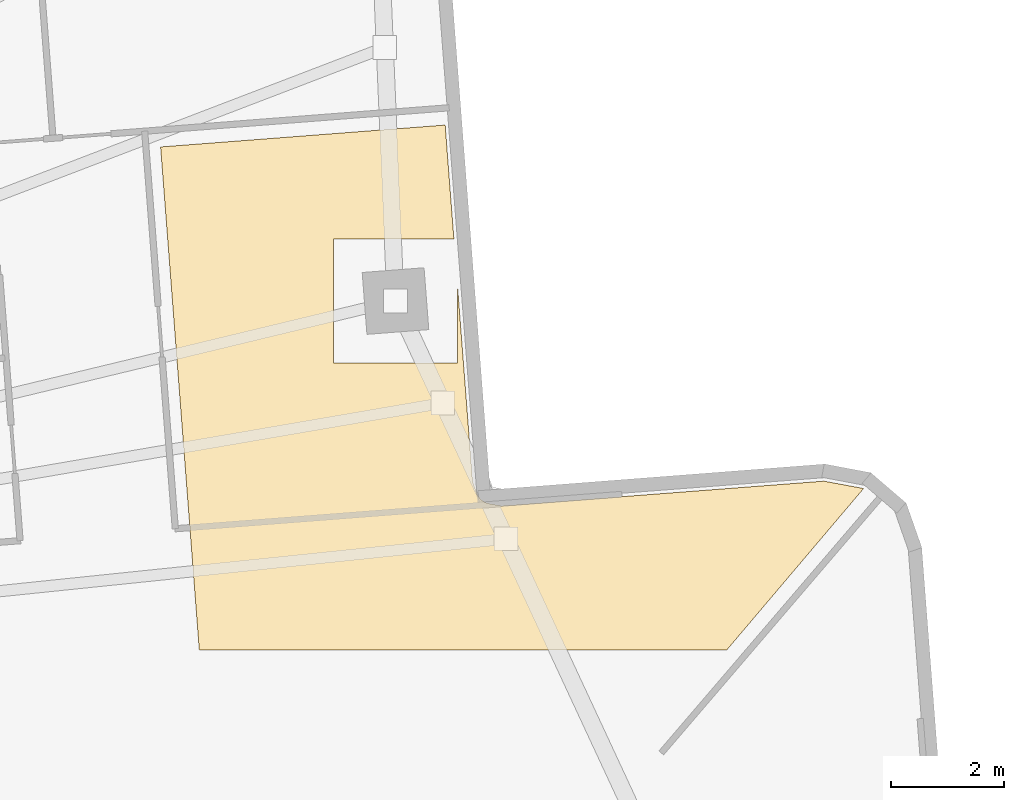
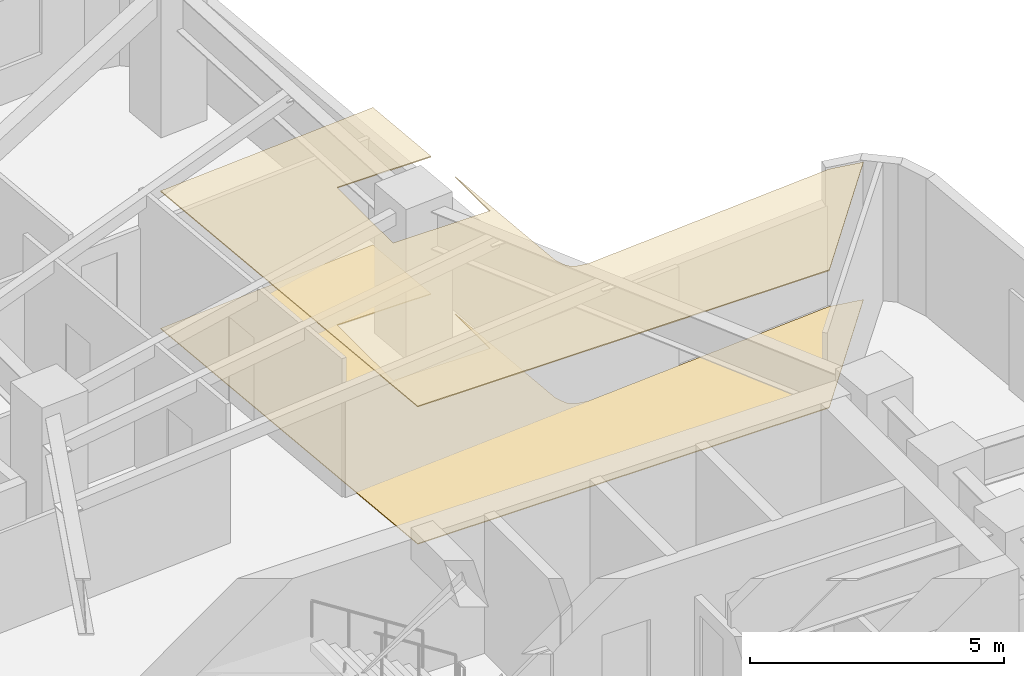
# One storey, part 10 of 10: 2 coverings.
"""IFC4 building model written with IfcOpenShell, lengths in metres."""

import ifcopenshell
import ifcopenshell.guid

model = None  # the IFC model being written
_history = None  # IfcOwnerHistory: only IFC2X3 demands one
_inside = {}  # id of a spatial element -> (the spatial element, [elements in it])
_under = {}  # id of a project, library or spatial element -> (it, [spatial elements below it])
_declared = {}  # id of a project -> (the project, [libraries it declares])
_typed = {}  # id of a type object -> (the type object, [elements of that type])
_made_of = {}  # id of a material, layer set ... -> (it, [elements and type objects made of it])


def new_model(schema):
    """Start an empty IFC model of exactly this schema.

    Asked for "IFC4X3", IfcOpenShell would pick the latest addendum, in which some entities
    have other attributes; the version numbers below select the first issue.
    IFC2X3 requires an IfcOwnerHistory on every rooted entity: one is made here for all.
    """
    global model, _history
    if schema == "IFC4X3":
        model = ifcopenshell.file(schema_version=(4, 3, 0, 0))
    else:
        model = ifcopenshell.file(schema=schema)
    _inside.clear()
    _under.clear()
    _declared.clear()
    _typed.clear()
    _made_of.clear()
    _history = None
    if model.schema == "IFC2X3":
        org = make("IfcOrganization", Name="unknown")
        user = make(
            "IfcPersonAndOrganization",
            ThePerson=make("IfcPerson", FamilyName="unknown"),
            TheOrganization=org,
        )
        app = make(
            "IfcApplication",
            ApplicationDeveloper=org,
            Version="unknown",
            ApplicationFullName="unknown",
            ApplicationIdentifier="unknown",
        )
        _history = make(
            "IfcOwnerHistory",
            OwningUser=user,
            OwningApplication=app,
            ChangeAction="ADDED",
            CreationDate=0,
        )
    return model


def make(cls, **values):
    """One entity of the class cls with the attributes given. An attribute that is None is left unset."""
    return model.create_entity(
        cls, **{name: value for name, value in values.items() if value is not None}
    )


def rooted(cls, **values):
    """An entity with a GlobalId (a new one), such as an element, a storey or a relation."""
    return make(cls, GlobalId=ifcopenshell.guid.new(), OwnerHistory=_history, **values)


def si_unit(unit_type, name, prefix=None):
    """IfcSIUnit, for example si_unit("LENGTHUNIT", "METRE", prefix="MILLI")."""
    return make("IfcSIUnit", UnitType=unit_type, Prefix=prefix, Name=name)


def assignment(units):
    """IfcUnitAssignment: the units of a project."""
    return None if units is None else make("IfcUnitAssignment", Units=units)


def point(xyz):
    """IfcCartesianPoint."""
    return None if xyz is None else make("IfcCartesianPoint", Coordinates=xyz)


def direction(xyz):
    """IfcDirection."""
    return None if xyz is None else make("IfcDirection", DirectionRatios=xyz)


def frame(location, z_axis=None, x_axis=None):
    """IfcAxis2Placement3D, a coordinate frame: its origin and axes. An axis left out is left unset."""
    return make(
        "IfcAxis2Placement3D",
        Location=point(location),
        Axis=direction(z_axis),
        RefDirection=direction(x_axis),
    )


def origin():
    """The frame at (0, 0, 0) with its axes left unset."""
    return frame((0.0, 0.0, 0.0))


def place(relative_to, where):
    """IfcLocalPlacement: puts the frame where relative to a parent placement (None: the world)."""
    return make(
        "IfcLocalPlacement", PlacementRelTo=relative_to, RelativePlacement=where
    )


def context(
    kind, dimensions, precision=None, world=None, true_north=None, identifier=None
):
    """IfcGeometricRepresentationContext, for example the 3D "Model" context."""
    return make(
        "IfcGeometricRepresentationContext",
        ContextIdentifier=identifier,
        ContextType=kind,
        CoordinateSpaceDimension=dimensions,
        Precision=precision,
        WorldCoordinateSystem=world,
        TrueNorth=true_north,
    )


def subcontext(parent, identifier, kind, view, scale=None):
    """IfcGeometricRepresentationSubContext, for example "Body" below "Model"."""
    return make(
        "IfcGeometricRepresentationSubContext",
        ContextIdentifier=identifier,
        ContextType=kind,
        ParentContext=parent,
        TargetScale=scale,
        TargetView=view,
    )


def project(units=None, contexts=None):
    """IfcProject with its units and contexts."""
    return rooted(
        "IfcProject",
        Name="project",
        RepresentationContexts=contexts,
        UnitsInContext=assignment(units),
    )


def spatial(cls, under=None, at=None, **own):
    """A site, building, storey or space (cls), placed at a placement, below another one or the project."""
    s = rooted(cls, ObjectPlacement=at, **own)
    if under is not None:
        _under.setdefault(under.id(), (under, []))[1].append(s)
    return s


def polyline(points):
    """IfcPolyline through the points."""
    return make("IfcPolyline", Points=[point(p) for p in points])


def outline(outer, holes=None, kind="AREA"):
    """IfcArbitraryClosedProfileDef: a profile drawn as a closed curve; with holes, ...WithVoids."""
    if holes is None:
        return make("IfcArbitraryClosedProfileDef", ProfileType=kind, OuterCurve=outer)
    return make(
        "IfcArbitraryProfileDefWithVoids",
        ProfileType=kind,
        OuterCurve=outer,
        InnerCurves=holes,
    )


def extrude(swept, where, along, depth):
    """IfcExtrudedAreaSolid: the profile swept, set in the frame where, extruded along a direction by depth."""
    return make(
        "IfcExtrudedAreaSolid",
        SweptArea=swept,
        Position=where,
        ExtrudedDirection=direction(along),
        Depth=depth,
    )


def shape(context_of_items, identifier, shape_type, items):
    """IfcShapeRepresentation: the items that make up one representation, for example the "Body"."""
    return make(
        "IfcShapeRepresentation",
        ContextOfItems=context_of_items,
        RepresentationIdentifier=identifier,
        RepresentationType=shape_type,
        Items=items,
    )


def material(Name=None, Category=None):
    """IfcMaterial."""
    return make("IfcMaterial", Name=Name, Category=Category)


def layer(
    of_material, thickness, ventilated=None, Name=None, Category=None, Priority=None
):
    """IfcMaterialLayer: one layer of a wall or slab, of a material (None: an air gap)."""
    return make(
        "IfcMaterialLayer",
        Material=of_material,
        LayerThickness=thickness,
        IsVentilated=ventilated,
        Name=Name,
        Category=Category,
        Priority=Priority,
    )


def layer_set(layers, Name=None):
    """IfcMaterialLayerSet."""
    return make("IfcMaterialLayerSet", MaterialLayers=layers, LayerSetName=Name)


def made_of(thing, what):
    """Note that an element or type object is made of a material, layer set ...; save() writes the relation."""
    if what is not None:
        _made_of.setdefault(what.id(), (what, []))[1].append(thing)
    return thing


def type_object(cls, material=None, **own):
    """A type object (cls), such as IfcWallType, which elements share."""
    return made_of(rooted(cls, **own), material)


def element(
    cls,
    number,
    at=None,
    inside=None,
    cuts=None,
    type_object=None,
    material=None,
    context=None,
    identifier="Body",
    shape_type=None,
    held_by="IfcProductDefinitionShape",
    body=None,
    shapes=None,
    **own,
):
    """One element of the class cls, such as IfcWall. Its Tag is "e" and its number.

    at: its placement. inside: the storey or other place that contains it. cuts: it is an
    opening in that element (IfcRelVoidsElement). A single representation is given by context,
    identifier, shape_type and body (its items); several are given by shapes. held_by: the class
    of the entity that holds the representations. save() writes the other relations.
    """
    e = rooted(cls, Tag="e%d" % number, ObjectPlacement=at, **own)
    if body is not None:
        shapes = [shape(context, identifier, shape_type, body)]
    if shapes is not None:
        e.Representation = make(held_by, Representations=shapes)
    if inside is not None:
        _inside.setdefault(inside.id(), (inside, []))[1].append(e)
    if cuts is not None:
        rooted(
            "IfcRelVoidsElement", RelatingBuildingElement=cuts, RelatedOpeningElement=e
        )
    if type_object is not None:
        _typed.setdefault(type_object.id(), (type_object, []))[1].append(e)
    return made_of(e, material)


def aggregate(whole, parts):
    """IfcRelAggregates: a whole, such as a stair, and the parts it consists of."""
    return rooted("IfcRelAggregates", RelatingObject=whole, RelatedObjects=parts)


def save(model, path):
    """Write the relations noted so far, then the file.

    IfcRelAggregates (storeys below a building ...), IfcRelContainedInSpatialStructure (elements
    in a storey), IfcRelDefinesByType, IfcRelAssociatesMaterial and IfcRelDeclares: one each for
    every whole, place, type object, material and project.
    """
    for whole, parts in _under.values():
        aggregate(whole, parts)
    for where, things in _inside.values():
        rooted(
            "IfcRelContainedInSpatialStructure",
            RelatedElements=things,
            RelatingStructure=where,
        )
    for kind, things in _typed.values():
        rooted("IfcRelDefinesByType", RelatedObjects=things, RelatingType=kind)
    for what, things in _made_of.values():
        rooted("IfcRelAssociatesMaterial", RelatedObjects=things, RelatingMaterial=what)
    for by, libraries in _declared.values():
        rooted("IfcRelDeclares", RelatingContext=by, RelatedDefinitions=libraries)
    model.write(path)


model = new_model("IFC4")

# Units and contexts
model_context = context("Model", 3, precision=1e-05, world=origin(), true_north=direction((0.0, 1.0)))
body_context = subcontext(model_context, "Body", "Model", "MODEL_VIEW")
ifc_project = project(units=[si_unit("LENGTHUNIT", "METRE"), si_unit("AREAUNIT", "SQUARE_METRE"), si_unit("VOLUMEUNIT", "CUBIC_METRE"), si_unit("PLANEANGLEUNIT", "RADIAN"), si_unit("MASSUNIT", "GRAM", prefix="KILO")], contexts=[model_context])

# Site, building, storey
site_placement = place(None, origin())
site = spatial("IfcSite", under=ifc_project, at=site_placement, CompositionType="ELEMENT")
building_placement = place(site_placement, origin())
building = spatial("IfcBuilding", under=site, at=building_placement, Name="Solmarez Civic Tower", CompositionType="ELEMENT")
storey_placement = place(building_placement, frame((0.0, 0.0, 56.8798828125)))
storey = spatial("IfcBuildingStorey", under=building, at=storey_placement, Name="L14", CompositionType="ELEMENT", Elevation=56.8798828125)

# Coverings
ifc_material_1 = material(Name="Perforated Mineral-Fibre Acoustic Ceiling")
ifc_layer_1 = layer(ifc_material_1, 0.02490234375)
ifc_layer_set_1 = layer_set([ifc_layer_1], Name="Perforated Mineral-Fibre Acoustic Ceiling")
covering_type_1 = type_object("IfcCoveringType", Name="COV-CEIL-ACOUSTIC", PredefinedType="CEILING", material=ifc_layer_set_1)
covering_1_placement = place(storey_placement, frame((0.0, 0.0, 3.295166015625)))
element("IfcCovering", 1, at=covering_1_placement, inside=storey, type_object=covering_type_1, Name="L14 Suspended Acoustic Ceiling 1", PredefinedType="CEILING", context=body_context, shape_type="SweptSolid", body=[
    extrude(outline(polyline([(0.7060546875, 12.199951171875), (10.053955078125, 12.199951171875), (12.48095703125, 15.06396484375), (12.47509765625, 15.069091796875), (11.779052734375, 15.197998046875), (6.10302734375, 14.761962890625), (6.08203125, 14.760009765625), (6.06201171875, 14.760009765625), (6.041015625, 14.761962890625), (6.033935546875, 14.762939453125), (6.027099609375, 14.763916015625), (6.01806640625, 14.76611328125), (5.84912109375, 14.797119140625), (5.8291015625, 14.801025390625), (5.822021484375, 14.802978515625), (5.794921875, 14.81298828125), (5.781005859375, 14.819091796875), (5.77392578125, 14.822021484375), (5.7548828125, 14.8310546875), (5.737060546875, 14.842041015625), (5.719970703125, 14.85498046875), (5.714111328125, 14.860107421875), (5.7080078125, 14.864990234375), (5.693115234375, 14.8779296875), (5.68798828125, 14.883056640625), (5.675048828125, 14.89794921875), (5.669921875, 14.904052734375), (5.657958984375, 14.919921875), (5.64697265625, 14.93701171875), (5.635986328125, 14.955078125), (5.626953125, 14.97607421875), (5.618896484375, 14.998046875), (5.56201171875, 15.157958984375), (5.56005859375, 15.1640625), (5.554931640625, 15.18310546875), (5.551025390625, 15.202880859375), (5.550048828125, 15.2099609375), (5.549072265625, 15.217041015625), (5.548095703125, 15.23095703125), (5.283935546875, 18.658935546875), (5.283935546875, 17.291015625), (3.083984375, 17.291015625), (3.083984375, 19.490966796875), (5.219970703125, 19.490966796875), (5.06494140625, 21.511962890625), (0.01904296875, 21.1240234375), (0.7060546875, 12.199951171875)])), origin(), (0.0, 0.0, 1.0), 0.02490234375),
])
ifc_material_2 = material(Name="Polished Tropical Stone Terrazzo Flooring", Category="masonry")
ifc_layer_2 = layer(ifc_material_2, 0.02001953125)
ifc_layer_set_2 = layer_set([ifc_layer_2], Name="Polished Tropical Stone Terrazzo Flooring")
covering_type_2 = type_object("IfcCoveringType", Name="COV-FLOOR-TERRAZZO", PredefinedType="FLOORING", material=ifc_layer_set_2)
covering_2_placement = place(storey_placement, origin())
element("IfcCovering", 2, at=covering_2_placement, inside=storey, type_object=covering_type_2, Name="L14 Terrazzo Floor Finish 1", PredefinedType="FLOORING", context=body_context, shape_type="SweptSolid", body=[
    extrude(outline(polyline([(0.7060546875, 12.199951171875), (10.053955078125, 12.199951171875), (12.48095703125, 15.06396484375), (12.47509765625, 15.069091796875), (11.779052734375, 15.197998046875), (6.10302734375, 14.761962890625), (6.08203125, 14.760009765625), (6.06201171875, 14.760009765625), (6.041015625, 14.761962890625), (6.033935546875, 14.762939453125), (6.027099609375, 14.763916015625), (6.01806640625, 14.76611328125), (5.84912109375, 14.797119140625), (5.8291015625, 14.801025390625), (5.822021484375, 14.802978515625), (5.794921875, 14.81298828125), (5.781005859375, 14.819091796875), (5.77392578125, 14.822021484375), (5.7548828125, 14.8310546875), (5.737060546875, 14.842041015625), (5.719970703125, 14.85498046875), (5.714111328125, 14.860107421875), (5.7080078125, 14.864990234375), (5.693115234375, 14.8779296875), (5.68798828125, 14.883056640625), (5.675048828125, 14.89794921875), (5.669921875, 14.904052734375), (5.657958984375, 14.919921875), (5.64697265625, 14.93701171875), (5.635986328125, 14.955078125), (5.626953125, 14.97607421875), (5.618896484375, 14.998046875), (5.56201171875, 15.157958984375), (5.56005859375, 15.1640625), (5.554931640625, 15.18310546875), (5.551025390625, 15.202880859375), (5.550048828125, 15.2099609375), (5.549072265625, 15.217041015625), (5.548095703125, 15.23095703125), (5.283935546875, 18.658935546875), (5.283935546875, 17.291015625), (3.083984375, 17.291015625), (3.083984375, 19.490966796875), (5.219970703125, 19.490966796875), (5.06494140625, 21.511962890625), (0.01904296875, 21.1240234375), (0.7060546875, 12.199951171875)])), origin(), (0.0, 0.0, 1.0), 0.02001953125),
])

save(model, "model.ifc")
